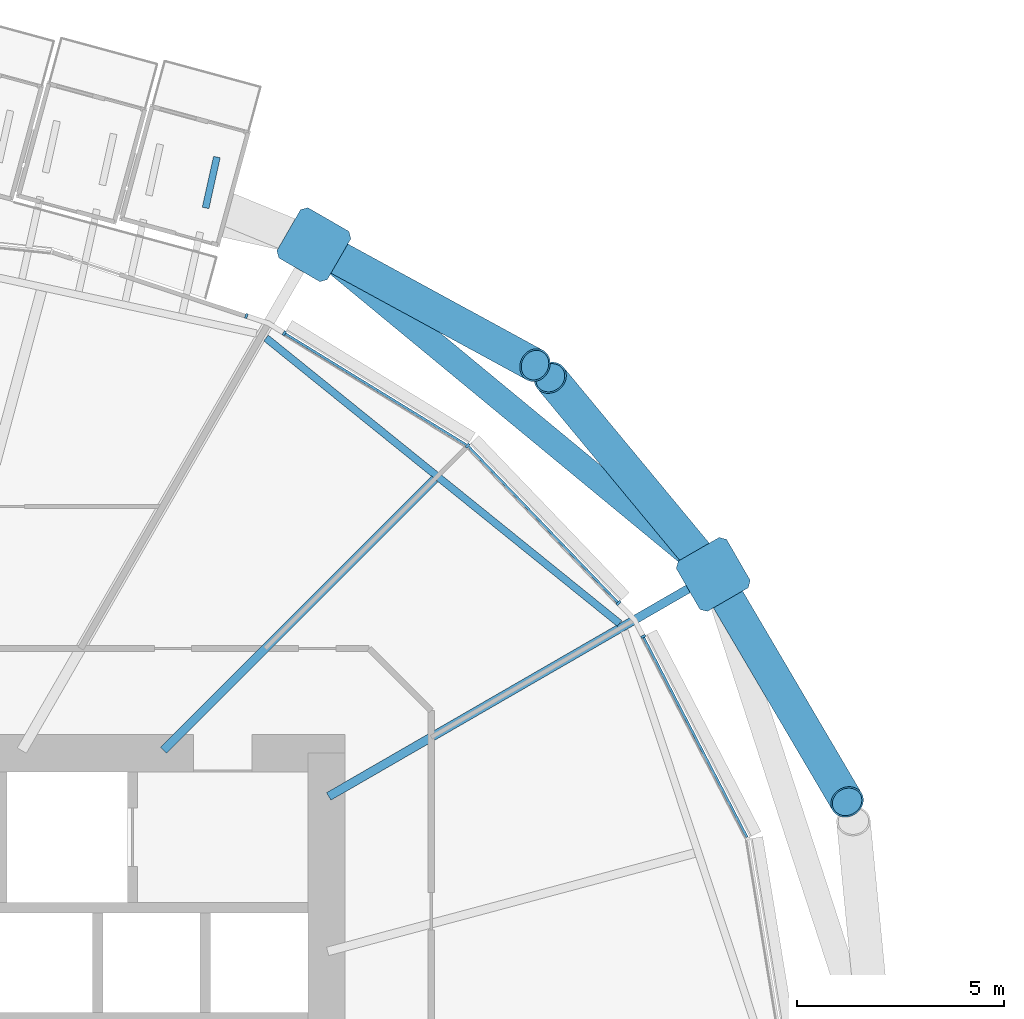
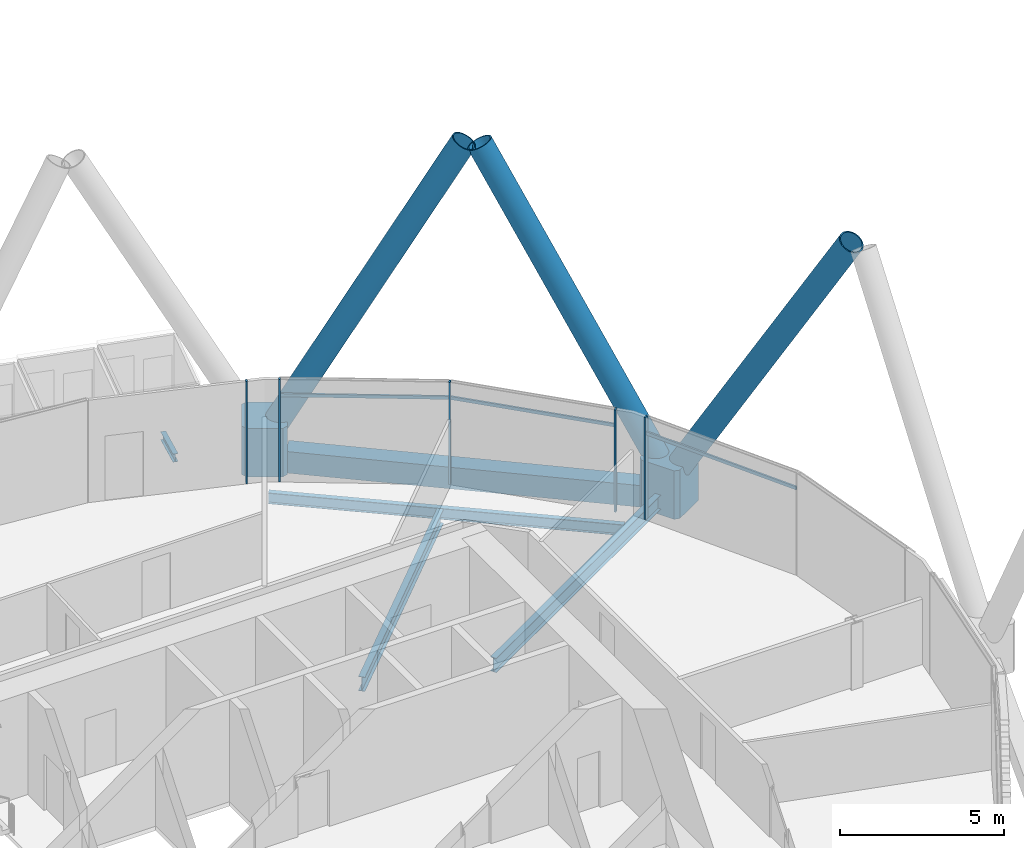
# One storey, part 13 of 40: 13 members, 5 beams, 1 element without a shape of its own.
"""IFC4 building model written with IfcOpenShell, lengths in metres."""

from ifc_helpers import new_model, si_unit, direction, frame, origin, origin_2d, place, context, subcontext, project, spatial, polyline, rectangle, hollow_rectangle, hollow_circle, i_section, outline, extrude, material, material_profile, profile_set, type_object, element, aggregate, save


model = new_model("IFC4")

# Units and contexts
model_context = context("Model", 3, precision=1e-05, world=origin(), true_north=direction((0.0, 1.0)))
body_context = subcontext(model_context, "Body", "Model", "MODEL_VIEW")
ifc_project = project(units=[si_unit("LENGTHUNIT", "METRE"), si_unit("AREAUNIT", "SQUARE_METRE"), si_unit("VOLUMEUNIT", "CUBIC_METRE"), si_unit("PLANEANGLEUNIT", "RADIAN"), si_unit("MASSUNIT", "GRAM", prefix="KILO")], contexts=[model_context])

# Site, building, storey
site_placement = place(None, origin())
site = spatial("IfcSite", under=ifc_project, at=site_placement, CompositionType="ELEMENT")
building_placement = place(site_placement, origin())
building = spatial("IfcBuilding", under=site, at=building_placement, Name="Rimbun Link Towers", CompositionType="ELEMENT")
storey_placement = place(building_placement, frame((0.0, 0.0, 52.800048828125)))
storey = spatial("IfcBuildingStorey", under=building, at=storey_placement, Name="L12", CompositionType="ELEMENT", Elevation=52.800048828125)

# Curtain wall, members
ifc_material_1 = material(Name="Aluminium 6063-T6 and low-iron glass", Category="aluminium")
curtain_wall_type = type_object("IfcCurtainWallType", Name="CW1 unitised vision wall", PredefinedType="NOTDEFINED", material=ifc_material_1)
curtain_wall_placement = place(storey_placement, origin())
curtain_wall = element("IfcCurtainWall", 1, at=curtain_wall_placement, inside=storey, type_object=curtain_wall_type, Name="CW1 L12 T1", PredefinedType="NOTDEFINED")
ifc_material_2 = material(Name="Aluminium 6063-T6", Category="aluminium")
ifc_material_profile_1 = material_profile(ifc_material_2, rectangle(XDim=0.1201171875, YDim=0.06005859375, at=origin_2d()), Name="MULLION 60X120")
ifc_profile_set_1 = profile_set([ifc_material_profile_1], Name="Aluminium 6063-T6")
member_type_1 = type_object("IfcMemberType", Name="CW1 mullion 60X120", PredefinedType="MULLION", material=ifc_profile_set_1)
member_1_placement = place(storey_placement, frame((-12.116455078125, 10.813232421875, 0.0), z_axis=(0.0, 0.0, 1.0), x_axis=(0.888156623203, 0.459540871589, 0.0)))
member_1 = element("IfcMember", 2, at=member_1_placement, type_object=member_type_1, Name="CW1 mullion", PredefinedType="MULLION", context=body_context, shape_type="SweptSolid", body=[
    extrude(rectangle(XDim=0.1201171875, YDim=0.06005859375, at=origin_2d()), origin(), (0.0, 0.0, 1.0), 3.800048828125),
])
member_2_placement = place(storey_placement, frame((-16.3466796875, 15.412353515625, 0.0), z_axis=(0.0, 0.0, 1.0), x_axis=(0.627665729285, 0.778482968524, 0.0)))
member_2 = element("IfcMember", 3, at=member_2_placement, type_object=member_type_1, Name="CW1 mullion", PredefinedType="MULLION", context=body_context, shape_type="SweptSolid", body=[
    extrude(rectangle(XDim=0.1201171875, YDim=0.06005859375, at=origin_2d()), origin(), (0.0, 0.0, 1.0), 3.800048828125),
])
member_3_placement = place(storey_placement, frame((-12.7138671875, 11.623779296875, 0.0), z_axis=(0.0, 0.0, 1.0), x_axis=(0.721834717261, 0.692065488922, 0.0)))
member_3 = element("IfcMember", 4, at=member_3_placement, type_object=member_type_1, Name="CW1 mullion", PredefinedType="MULLION", context=body_context, shape_type="SweptSolid", body=[
    extrude(rectangle(XDim=0.1201171875, YDim=0.06005859375, at=origin_2d()), origin(), (0.0, 0.0, 1.0), 3.800048828125),
])
member_4_placement = place(storey_placement, frame((-20.76416015625, 18.125244140625, 0.0), z_axis=(0.0, 0.0, 1.0), x_axis=(0.523243332621, 0.852183322336, 0.0)))
member_4 = element("IfcMember", 5, at=member_4_placement, type_object=member_type_1, Name="CW1 mullion", PredefinedType="MULLION", context=body_context, shape_type="SweptSolid", body=[
    extrude(rectangle(XDim=0.1201171875, YDim=0.06005859375, at=origin_2d()), origin(), (0.0, 0.0, 1.0), 3.800048828125),
])
member_5_placement = place(storey_placement, frame((-21.68212890625, 18.53955078125, 0.0), z_axis=(0.0, 0.0, 1.0), x_axis=(0.314563424855, 0.949236457235, 0.0)))
member_5 = element("IfcMember", 6, at=member_5_placement, type_object=member_type_1, Name="CW1 mullion", PredefinedType="MULLION", context=body_context, shape_type="SweptSolid", body=[
    extrude(rectangle(XDim=0.1201171875, YDim=0.06005859375, at=origin_2d()), origin(), (0.0, 0.0, 1.0), 3.800048828125),
])
ifc_material_3 = material(Name="Aluminium 6063-T6", Category="aluminium")
ifc_material_profile_2 = material_profile(ifc_material_3, rectangle(XDim=0.06005859375, YDim=0.1201171875, at=origin_2d()), Name="TRANSOM 60X120")
ifc_profile_set_2 = profile_set([ifc_material_profile_2], Name="Aluminium 6063-T6")
member_type_2 = type_object("IfcMemberType", Name="CW1 transom 60X120", PredefinedType="USERDEFINED", material=ifc_profile_set_2)
member_6_placement = place(storey_placement, frame((-12.1044921875, 10.78564453125, 3.199951171875), z_axis=(0.459555326558, -0.888149143912, 0.0), x_axis=(0.888149143912, 0.459555326558, 0.0)))
member_6 = element("IfcMember", 7, at=member_6_placement, type_object=member_type_2, Name="CW1 transom", ObjectType="TRANSOM", PredefinedType="USERDEFINED", context=body_context, shape_type="SweptSolid", body=[
    extrude(rectangle(XDim=0.06005859375, YDim=0.1201171875, at=origin_2d()), origin(), (0.0, 0.0, 1.0), 5.417236328125),
])
member_7_placement = place(storey_placement, frame((-16.32177734375, 15.384033203125, 3.199951171875), z_axis=(0.692059885815, -0.721840089249, 0.0), x_axis=(0.721840089249, 0.692059885815, 0.0)))
member_7 = element("IfcMember", 8, at=member_7_placement, type_object=member_type_2, Name="CW1 transom", ObjectType="TRANSOM", PredefinedType="USERDEFINED", context=body_context, shape_type="SweptSolid", body=[
    extrude(rectangle(XDim=0.06005859375, YDim=0.1201171875, at=origin_2d()), origin(), (0.0, 0.0, 1.0), 5.18115234375),
])
member_8_placement = place(storey_placement, frame((-20.739501953125, 18.107666015625, 3.199951171875), z_axis=(0.85218055836, -0.52324783416, 0.0), x_axis=(0.52324783416, 0.85218055836, 0.0)))
member_8 = element("IfcMember", 9, at=member_8_placement, type_object=member_type_2, Name="CW1 transom", ObjectType="TRANSOM", PredefinedType="USERDEFINED", context=body_context, shape_type="SweptSolid", body=[
    extrude(rectangle(XDim=0.06005859375, YDim=0.1201171875, at=origin_2d()), origin(), (0.0, 0.0, 1.0), 5.1162109375),
])
aggregate(curtain_wall, [member_1, member_2, member_3, member_4, member_5, member_6, member_7, member_8])

# Beam
ifc_material_4 = material(Name="Steel S355J2", Category="steel")
ifc_material_profile_3 = material_profile(ifc_material_4, i_section(OverallWidth=0.1650390625, OverallDepth=0.303466796875, WebThickness=0.006103515625, FlangeThickness=0.01025390625, at=origin_2d()), Name="UB 305x165x40")
ifc_profile_set_3 = profile_set([ifc_material_profile_3], Name="Steel S355J2")
beam_type_1 = type_object("IfcBeamType", Name="Capsule bracket beam UB 305x165x40", PredefinedType="BEAM", material=ifc_profile_set_3)
beam_1_placement = place(storey_placement, frame((-22.6640625, 21.1435546875, -0.311767578125), z_axis=(0.216292542269, 0.976328600502, 0.0), x_axis=(-0.976328600502, 0.216292542269, 0.0)))
element("IfcBeam", 10, at=beam_1_placement, inside=storey, type_object=beam_type_1, Name="Capsule D121.03 bracket beam 4", PredefinedType="BEAM", context=body_context, shape_type="SweptSolid", body=[
    extrude(i_section(OverallWidth=0.1650390625, OverallDepth=0.303466796875, WebThickness=0.006103515625, FlangeThickness=0.01025390625, at=origin_2d()), origin(), (0.0, 0.0, 1.0), 1.25634765625),
])

# Members
ifc_material_5 = material(Name="Steel S460NH", Category="steel")
ifc_material_profile_4 = material_profile(ifc_material_5, hollow_circle(Radius=0.406494140625, WallThickness=0.0400390625, at=origin_2d()), Name="Diagrid diagonal CHS 813x40")
ifc_profile_set_4 = profile_set([ifc_material_profile_4], Name="Steel S460NH")
member_type_3 = type_object("IfcMemberType", Name="Diagrid diagonal CHS 813x40", PredefinedType="BRACE", material=ifc_profile_set_4)
member_9_placement = place(storey_placement, frame((-10.30078125, 12.093994140625, 0.432373046875), z_axis=(0.254505768559, -0.43237515139, 0.865030948713), x_axis=(0.861788328519, 0.507268052245, 0.0)))
element("IfcMember", 11, at=member_9_placement, inside=storey, type_object=member_type_3, Name="Diagrid diagonal T1 L12-L15 02a", PredefinedType="BRACE", context=body_context, shape_type="SweptSolid", body=[
    extrude(hollow_circle(Radius=0.406494140625, WallThickness=0.0400390625, at=origin_2d()), origin(), (0.0, 0.0, 1.0), 12.178955078125),
])
member_10_placement = place(storey_placement, frame((-10.584228515625, 12.498779296875, 0.43603515625), z_axis=(-0.312336279633, 0.376963157123, 0.871977537897), x_axis=(-0.770026199312, -0.638012266633, 0.0)))
element("IfcMember", 12, at=member_10_placement, inside=storey, type_object=member_type_3, Name="Diagrid diagonal T1 L12-L15 02b", PredefinedType="BRACE", context=body_context, shape_type="SweptSolid", body=[
    extrude(hollow_circle(Radius=0.406494140625, WallThickness=0.0400390625, at=origin_2d()), origin(), (0.0, 0.0, 1.0), 12.073486328125),
])
member_11_placement = place(storey_placement, frame((-19.84130859375, 20.14208984375, 0.437255859375), z_axis=(0.425340572748, -0.231705088723, 0.874870361273), x_axis=(0.478376519541, 0.878154830057, 0.0)))
element("IfcMember", 13, at=member_11_placement, inside=storey, type_object=member_type_3, Name="Diagrid diagonal T1 L12-L15 04a", PredefinedType="BRACE", context=body_context, shape_type="SweptSolid", body=[
    extrude(hollow_circle(Radius=0.406494140625, WallThickness=0.0400390625, at=origin_2d()), origin(), (0.0, 0.0, 1.0), 12.03076171875),
])
ifc_material_6 = material(Name="Cast steel G20Mn5+QT, Rp0.2 300 MPa", Category="steel")
ifc_material_profile_5 = material_profile(ifc_material_6, outline(polyline([(0.699951171875, -0.570068359375), (0.699951171875, 0.570068359375), (0.570068359375, 0.699951171875), (-0.570068359375, 0.699951171875), (-0.699951171875, 0.570068359375), (-0.699951171875, -0.570068359375), (-0.570068359375, -0.699951171875), (0.570068359375, -0.699951171875), (0.699951171875, -0.570068359375)])), Name="NODE 1400x1400")
ifc_profile_set_5 = profile_set([ifc_material_profile_5], Name="Cast steel G20Mn5+QT, Rp0.2 300 MPa")
member_type_4 = type_object("IfcMemberType", Name="Diagrid node cast 1400", PredefinedType="USERDEFINED", material=ifc_profile_set_5)
for number, where, z_axis, x_axis, name in (
    (14, (-10.427978515625, 12.310302734375, -0.900146484375), (0.0, 0.0, 1.0), (0.866025403784, 0.5, 0.0), "Diagrid node L12 02"),
    (15, (-20.053955078125, 20.258056640625, -0.900146484375), (0.0, 0.0, 1.0), (0.5, 0.866025403784, 0.0), "Diagrid node L12 04"),
):
    element("IfcMember", number, at=place(storey_placement, frame(where, z_axis=z_axis, x_axis=x_axis)), inside=storey, type_object=member_type_4, Name=name, ObjectType="Diagrid node", PredefinedType="USERDEFINED", context=body_context, shape_type="SweptSolid", body=[
        extrude(outline(polyline([(0.699951171875, -0.570068359375), (0.699951171875, 0.570068359375), (0.570068359375, 0.699951171875), (-0.570068359375, 0.699951171875), (-0.699951171875, 0.570068359375), (-0.699951171875, -0.570068359375), (-0.570068359375, -0.699951171875), (0.570068359375, -0.699951171875), (0.699951171875, -0.570068359375)])), origin(), (0.0, 0.0, 1.0), 1.800048828125),
    ])

# Beams
ifc_material_7 = material(Name="Steel S355J2", Category="steel")
ifc_material_profile_6 = material_profile(ifc_material_7, hollow_rectangle(XDim=0.60009765625, YDim=0.800048828125, WallThickness=0.0400390625, at=origin_2d()), Name="Exoskeleton ring girder BOX 600x800x40")
ifc_profile_set_6 = profile_set([ifc_material_profile_6], Name="Steel S355J2")
beam_type_2 = type_object("IfcBeamType", Name="Exoskeleton ring girder BOX 600x800x40", PredefinedType="BEAM", material=ifc_profile_set_6)
beam_2_placement = place(storey_placement, frame((-10.9677734375, 12.756103515625, -0.56005859375), z_axis=(-0.771123969027, 0.636685027618, 0.0), x_axis=(-0.636685027618, -0.771123969027, 0.0)))
element("IfcBeam", 16, at=beam_2_placement, inside=storey, type_object=beam_type_2, Name="Exoskeleton ring girder L12 01", PredefinedType="BEAM", context=body_context, shape_type="SweptSolid", body=[
    extrude(hollow_rectangle(XDim=0.60009765625, YDim=0.800048828125, WallThickness=0.0400390625, at=origin_2d()), origin(), (0.0, 0.0, 1.0), 11.0830078125),
])
ifc_material_8 = material(Name="Steel S355J2", Category="steel")
ifc_material_profile_7 = material_profile(ifc_material_8, i_section(OverallWidth=0.177978515625, OverallDepth=0.406494140625, WebThickness=0.0078125, FlangeThickness=0.0126953125, at=origin_2d()), Name="UB 406x178x60")
ifc_profile_set_7 = profile_set([ifc_material_profile_7], Name="Steel S355J2")
beam_type_3 = type_object("IfcBeamType", Name="UB 406x178x60", PredefinedType="BEAM", material=ifc_profile_set_7)
beam_3_placement = place(storey_placement, frame((-12.6875, 11.127685546875, -0.36328125), z_axis=(-0.777984774136, 0.628283129817, 0.0), x_axis=(-0.628283129817, -0.777984774136, 0.0)))
element("IfcBeam", 17, at=beam_3_placement, inside=storey, type_object=beam_type_3, Name="Edge beam T1 L12 02-04", PredefinedType="BEAM", context=body_context, shape_type="SweptSolid", body=[
    extrude(i_section(OverallWidth=0.177978515625, OverallDepth=0.406494140625, WebThickness=0.0078125, FlangeThickness=0.0126953125, at=origin_2d()), origin(), (0.0, 0.0, 1.0), 10.949462890625),
])
ifc_material_9 = material(Name="Steel S355J2", Category="steel")
ifc_material_profile_8 = material_profile(ifc_material_9, i_section(OverallWidth=0.209228515625, OverallDepth=0.533203125, WebThickness=0.010009765625, FlangeThickness=0.015625, at=origin_2d()), Name="UB 533x210x92")
ifc_profile_set_8 = profile_set([ifc_material_profile_8], Name="Steel S355J2")
beam_type_4 = type_object("IfcBeamType", Name="UB 533x210x92", PredefinedType="BEAM", material=ifc_profile_set_8)
beam_4_placement = place(storey_placement, frame((-19.69677734375, 6.958984375, -0.4267578125), z_axis=(0.866024197602, 0.500002089163, 0.0), x_axis=(-0.500002089163, 0.866024197602, 0.0)))
element("IfcBeam", 18, at=beam_4_placement, inside=storey, type_object=beam_type_4, Name="Radial beam T1 L12 02", PredefinedType="BEAM", context=body_context, shape_type="SweptSolid", body=[
    extrude(i_section(OverallWidth=0.209228515625, OverallDepth=0.533203125, WebThickness=0.010009765625, FlangeThickness=0.015625, at=origin_2d()), origin(), (0.0, 0.0, 1.0), 10.20263671875),
])
beam_5_placement = place(storey_placement, frame((-23.67529296875, 8.07470703125, -0.4267578125), z_axis=(0.707106781187, 0.707106781187, 0.0), x_axis=(-0.707106781187, 0.707106781187, 0.0)))
element("IfcBeam", 19, at=beam_5_placement, inside=storey, type_object=beam_type_4, Name="Radial beam T1 L12 03", PredefinedType="BEAM", context=body_context, shape_type="SweptSolid", body=[
    extrude(i_section(OverallWidth=0.209228515625, OverallDepth=0.533203125, WebThickness=0.010009765625, FlangeThickness=0.015625, at=origin_2d()), origin(), (0.0, 0.0, 1.0), 9.24072265625),
])

save(model, "model.ifc")
